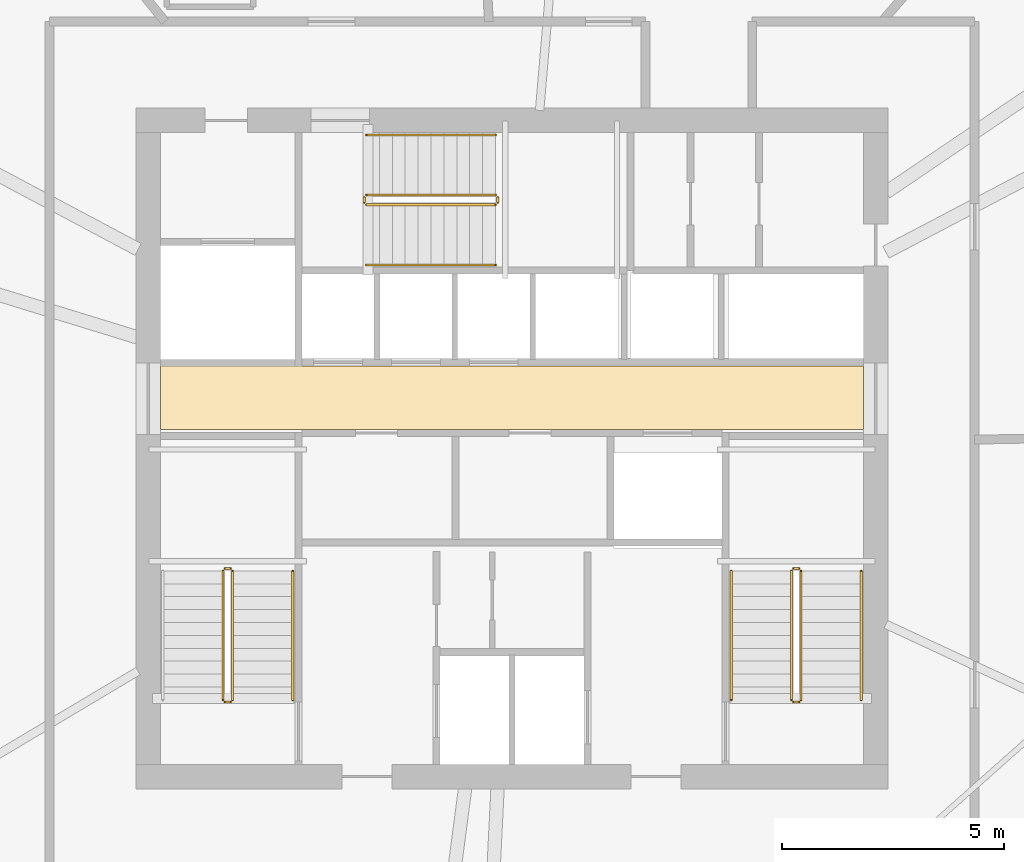
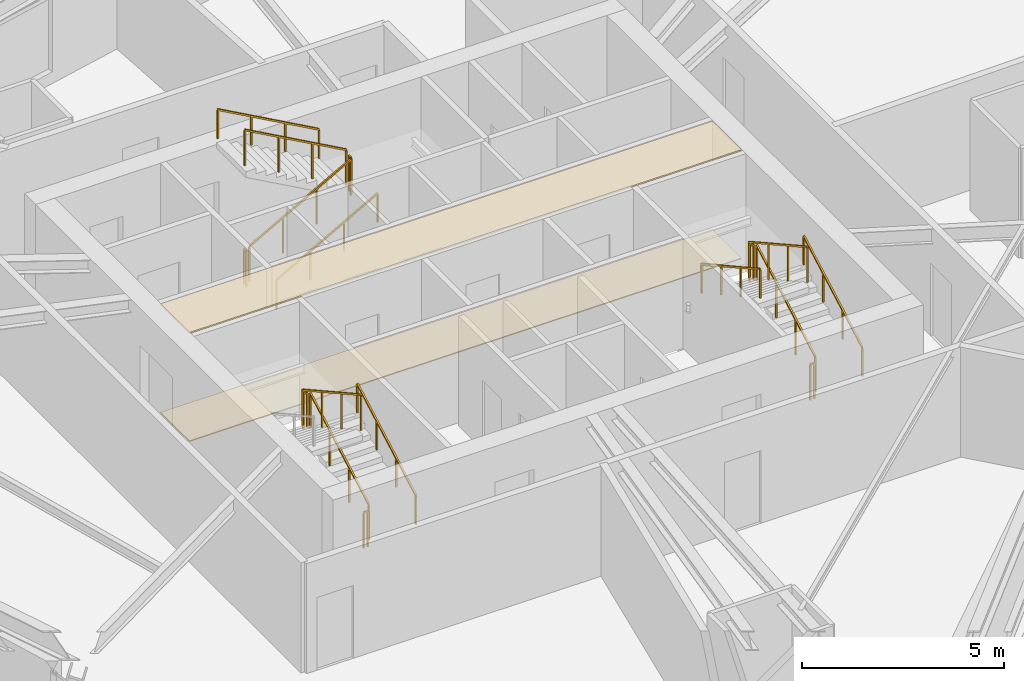
# One storey, part 14 of 15: 17 railings, 2 coverings.
"""IFC4 building model written with IfcOpenShell, lengths in metres."""

import ifcopenshell
import ifcopenshell.guid

model = None  # the IFC model being written
_history = None  # IfcOwnerHistory: only IFC2X3 demands one
_inside = {}  # id of a spatial element -> (the spatial element, [elements in it])
_under = {}  # id of a project, library or spatial element -> (it, [spatial elements below it])
_declared = {}  # id of a project -> (the project, [libraries it declares])
_typed = {}  # id of a type object -> (the type object, [elements of that type])
_made_of = {}  # id of a material, layer set ... -> (it, [elements and type objects made of it])


def new_model(schema):
    """Start an empty IFC model of exactly this schema.

    Asked for "IFC4X3", IfcOpenShell would pick the latest addendum, in which some entities
    have other attributes; the version numbers below select the first issue.
    IFC2X3 requires an IfcOwnerHistory on every rooted entity: one is made here for all.
    """
    global model, _history
    if schema == "IFC4X3":
        model = ifcopenshell.file(schema_version=(4, 3, 0, 0))
    else:
        model = ifcopenshell.file(schema=schema)
    _inside.clear()
    _under.clear()
    _declared.clear()
    _typed.clear()
    _made_of.clear()
    _history = None
    if model.schema == "IFC2X3":
        org = make("IfcOrganization", Name="unknown")
        user = make(
            "IfcPersonAndOrganization",
            ThePerson=make("IfcPerson", FamilyName="unknown"),
            TheOrganization=org,
        )
        app = make(
            "IfcApplication",
            ApplicationDeveloper=org,
            Version="unknown",
            ApplicationFullName="unknown",
            ApplicationIdentifier="unknown",
        )
        _history = make(
            "IfcOwnerHistory",
            OwningUser=user,
            OwningApplication=app,
            ChangeAction="ADDED",
            CreationDate=0,
        )
    return model


def make(cls, **values):
    """One entity of the class cls with the attributes given. An attribute that is None is left unset."""
    return model.create_entity(
        cls, **{name: value for name, value in values.items() if value is not None}
    )


def rooted(cls, **values):
    """An entity with a GlobalId (a new one), such as an element, a storey or a relation."""
    return make(cls, GlobalId=ifcopenshell.guid.new(), OwnerHistory=_history, **values)


def si_unit(unit_type, name, prefix=None):
    """IfcSIUnit, for example si_unit("LENGTHUNIT", "METRE", prefix="MILLI")."""
    return make("IfcSIUnit", UnitType=unit_type, Prefix=prefix, Name=name)


def assignment(units):
    """IfcUnitAssignment: the units of a project."""
    return None if units is None else make("IfcUnitAssignment", Units=units)


def point(xyz):
    """IfcCartesianPoint."""
    return None if xyz is None else make("IfcCartesianPoint", Coordinates=xyz)


def direction(xyz):
    """IfcDirection."""
    return None if xyz is None else make("IfcDirection", DirectionRatios=xyz)


def frame(location, z_axis=None, x_axis=None):
    """IfcAxis2Placement3D, a coordinate frame: its origin and axes. An axis left out is left unset."""
    return make(
        "IfcAxis2Placement3D",
        Location=point(location),
        Axis=direction(z_axis),
        RefDirection=direction(x_axis),
    )


def frame_2d(location, x_axis=None):
    """IfcAxis2Placement2D, a coordinate frame in the plane: its origin and x axis."""
    return make(
        "IfcAxis2Placement2D", Location=point(location), RefDirection=direction(x_axis)
    )


def origin():
    """The frame at (0, 0, 0) with its axes left unset."""
    return frame((0.0, 0.0, 0.0))


def origin_2d():
    """The frame at (0, 0) in the plane with its x axis left unset."""
    return frame_2d((0.0, 0.0))


def place(relative_to, where):
    """IfcLocalPlacement: puts the frame where relative to a parent placement (None: the world)."""
    return make(
        "IfcLocalPlacement", PlacementRelTo=relative_to, RelativePlacement=where
    )


def context(
    kind, dimensions, precision=None, world=None, true_north=None, identifier=None
):
    """IfcGeometricRepresentationContext, for example the 3D "Model" context."""
    return make(
        "IfcGeometricRepresentationContext",
        ContextIdentifier=identifier,
        ContextType=kind,
        CoordinateSpaceDimension=dimensions,
        Precision=precision,
        WorldCoordinateSystem=world,
        TrueNorth=true_north,
    )


def subcontext(parent, identifier, kind, view, scale=None):
    """IfcGeometricRepresentationSubContext, for example "Body" below "Model"."""
    return make(
        "IfcGeometricRepresentationSubContext",
        ContextIdentifier=identifier,
        ContextType=kind,
        ParentContext=parent,
        TargetScale=scale,
        TargetView=view,
    )


def project(units=None, contexts=None):
    """IfcProject with its units and contexts."""
    return rooted(
        "IfcProject",
        Name="project",
        RepresentationContexts=contexts,
        UnitsInContext=assignment(units),
    )


def spatial(cls, under=None, at=None, **own):
    """A site, building, storey or space (cls), placed at a placement, below another one or the project."""
    s = rooted(cls, ObjectPlacement=at, **own)
    if under is not None:
        _under.setdefault(under.id(), (under, []))[1].append(s)
    return s


def polyline(points):
    """IfcPolyline through the points."""
    return make("IfcPolyline", Points=[point(p) for p in points])


def profile(cls, at=None, kind="AREA", **sizes):
    """A parametric profile (cls). Its sizes go by their IFC names, for example OverallWidth=200.0."""
    return make(cls, ProfileType=kind, Position=at, **sizes)


def rectangle(**sizes):
    """IfcRectangleProfileDef."""
    return profile("IfcRectangleProfileDef", **sizes)


def outline(outer, holes=None, kind="AREA"):
    """IfcArbitraryClosedProfileDef: a profile drawn as a closed curve; with holes, ...WithVoids."""
    if holes is None:
        return make("IfcArbitraryClosedProfileDef", ProfileType=kind, OuterCurve=outer)
    return make(
        "IfcArbitraryProfileDefWithVoids",
        ProfileType=kind,
        OuterCurve=outer,
        InnerCurves=holes,
    )


def extrude(swept, where, along, depth):
    """IfcExtrudedAreaSolid: the profile swept, set in the frame where, extruded along a direction by depth."""
    return make(
        "IfcExtrudedAreaSolid",
        SweptArea=swept,
        Position=where,
        ExtrudedDirection=direction(along),
        Depth=depth,
    )


def shape(context_of_items, identifier, shape_type, items):
    """IfcShapeRepresentation: the items that make up one representation, for example the "Body"."""
    return make(
        "IfcShapeRepresentation",
        ContextOfItems=context_of_items,
        RepresentationIdentifier=identifier,
        RepresentationType=shape_type,
        Items=items,
    )


def material(Name=None, Category=None):
    """IfcMaterial."""
    return make("IfcMaterial", Name=Name, Category=Category)


def layer(
    of_material, thickness, ventilated=None, Name=None, Category=None, Priority=None
):
    """IfcMaterialLayer: one layer of a wall or slab, of a material (None: an air gap)."""
    return make(
        "IfcMaterialLayer",
        Material=of_material,
        LayerThickness=thickness,
        IsVentilated=ventilated,
        Name=Name,
        Category=Category,
        Priority=Priority,
    )


def layer_set(layers, Name=None):
    """IfcMaterialLayerSet."""
    return make("IfcMaterialLayerSet", MaterialLayers=layers, LayerSetName=Name)


def made_of(thing, what):
    """Note that an element or type object is made of a material, layer set ...; save() writes the relation."""
    if what is not None:
        _made_of.setdefault(what.id(), (what, []))[1].append(thing)
    return thing


def type_object(cls, material=None, **own):
    """A type object (cls), such as IfcWallType, which elements share."""
    return made_of(rooted(cls, **own), material)


def element(
    cls,
    number,
    at=None,
    inside=None,
    cuts=None,
    type_object=None,
    material=None,
    context=None,
    identifier="Body",
    shape_type=None,
    held_by="IfcProductDefinitionShape",
    body=None,
    shapes=None,
    **own,
):
    """One element of the class cls, such as IfcWall. Its Tag is "e" and its number.

    at: its placement. inside: the storey or other place that contains it. cuts: it is an
    opening in that element (IfcRelVoidsElement). A single representation is given by context,
    identifier, shape_type and body (its items); several are given by shapes. held_by: the class
    of the entity that holds the representations. save() writes the other relations.
    """
    e = rooted(cls, Tag="e%d" % number, ObjectPlacement=at, **own)
    if body is not None:
        shapes = [shape(context, identifier, shape_type, body)]
    if shapes is not None:
        e.Representation = make(held_by, Representations=shapes)
    if inside is not None:
        _inside.setdefault(inside.id(), (inside, []))[1].append(e)
    if cuts is not None:
        rooted(
            "IfcRelVoidsElement", RelatingBuildingElement=cuts, RelatedOpeningElement=e
        )
    if type_object is not None:
        _typed.setdefault(type_object.id(), (type_object, []))[1].append(e)
    return made_of(e, material)


def aggregate(whole, parts):
    """IfcRelAggregates: a whole, such as a stair, and the parts it consists of."""
    return rooted("IfcRelAggregates", RelatingObject=whole, RelatedObjects=parts)


def save(model, path):
    """Write the relations noted so far, then the file.

    IfcRelAggregates (storeys below a building ...), IfcRelContainedInSpatialStructure (elements
    in a storey), IfcRelDefinesByType, IfcRelAssociatesMaterial and IfcRelDeclares: one each for
    every whole, place, type object, material and project.
    """
    for whole, parts in _under.values():
        aggregate(whole, parts)
    for where, things in _inside.values():
        rooted(
            "IfcRelContainedInSpatialStructure",
            RelatedElements=things,
            RelatingStructure=where,
        )
    for kind, things in _typed.values():
        rooted("IfcRelDefinesByType", RelatedObjects=things, RelatingType=kind)
    for what, things in _made_of.values():
        rooted("IfcRelAssociatesMaterial", RelatedObjects=things, RelatingMaterial=what)
    for by, libraries in _declared.values():
        rooted("IfcRelDeclares", RelatingContext=by, RelatedDefinitions=libraries)
    model.write(path)


model = new_model("IFC4")

# Units and contexts
model_context = context("Model", 3, precision=1e-05, world=origin(), true_north=direction((0.0, 1.0)))
body_context = subcontext(model_context, "Body", "Model", "MODEL_VIEW")
ifc_project = project(units=[si_unit("LENGTHUNIT", "METRE"), si_unit("AREAUNIT", "SQUARE_METRE"), si_unit("VOLUMEUNIT", "CUBIC_METRE"), si_unit("PLANEANGLEUNIT", "RADIAN"), si_unit("MASSUNIT", "GRAM", prefix="KILO")], contexts=[model_context])

# Site, building, storey
site_placement = place(None, origin())
site = spatial("IfcSite", under=ifc_project, at=site_placement, CompositionType="ELEMENT")
building_placement = place(site_placement, origin())
building = spatial("IfcBuilding", under=site, at=building_placement, Name="Olszyna Solenne Hotel", CompositionType="ELEMENT")
storey_placement = place(building_placement, frame((0.0, 0.0, 157.25)))
storey = spatial("IfcBuildingStorey", under=building, at=storey_placement, Name="L41", CompositionType="ELEMENT", Elevation=157.25)

# Coverings
ifc_material_1 = material(Name="Mineral wool acoustic ceiling")
ifc_layer_1 = layer(ifc_material_1, 0.0400390625, Name="Mineral wool acoustic ceiling")
ifc_layer_set_1 = layer_set([ifc_layer_1], Name="Mineral wool acoustic ceiling")
covering_type_1 = type_object("IfcCoveringType", Name="CL-AC1", PredefinedType="CEILING", material=ifc_layer_set_1)
covering_1_placement = place(storey_placement, frame((0.0, 0.0, 3.27001953125)))
element("IfcCovering", 1, at=covering_1_placement, inside=storey, type_object=covering_type_1, Name="Lift lobby acoustic tile ceiling CL-L41-01", PredefinedType="CEILING", context=body_context, shape_type="SweptSolid", body=[
    extrude(outline(polyline([(30.10009765625, 27.030029296875), (45.89990234375, 27.030029296875), (45.89990234375, 28.4599609375), (30.10009765625, 28.4599609375), (30.10009765625, 27.030029296875)])), origin(), (0.0, 0.0, 1.0), 0.0400390625),
])
ifc_material_2 = material(Name="Ceramic floor tile")
ifc_layer_2 = layer(ifc_material_2, 0.030029296875, Name="Ceramic floor tile")
ifc_layer_set_2 = layer_set([ifc_layer_2], Name="Ceramic floor tile")
covering_type_2 = type_object("IfcCoveringType", Name="FL-TL1", PredefinedType="FLOORING", material=ifc_layer_set_2)
covering_2_placement = place(storey_placement, origin())
element("IfcCovering", 2, at=covering_2_placement, inside=storey, type_object=covering_type_2, Name="Lift lobby stoneware floor finish FLR-L41-01", PredefinedType="FLOORING", context=body_context, shape_type="SweptSolid", body=[
    extrude(outline(polyline([(30.10009765625, 27.030029296875), (45.89990234375, 27.030029296875), (45.89990234375, 28.4599609375), (30.10009765625, 28.4599609375), (30.10009765625, 27.030029296875)])), origin(), (0.0, 0.0, 1.0), 0.030029296875),
])

# Railings
ifc_material_3 = material(Name="Anodised bronze aluminium", Category="aluminium")
railing_type_1 = type_object("IfcRailingType", Name="GR-110", PredefinedType="BALUSTRADE", material=ifc_material_3)
railing_1_placement = place(storey_placement, frame((31.719970703125, 20.949951171875, 0.161376953125)))
element("IfcRailing", 3, at=railing_1_placement, inside=storey, type_object=railing_type_1, Name="L41 ST1 stair guard 1", PredefinedType="BALUSTRADE", context=body_context, shape_type="SweptSolid", body=[
    extrude(rectangle(XDim=0.048095703125, YDim=0.048095703125, at=origin_2d()), frame((0.0, 0.0, 1.076171875), z_axis=(0.0, 0.873858693841, 0.486179990537), x_axis=(-1.0, 0.0, 0.0)), (0.0, 0.0, 1.0), 3.31884765625),
    extrude(rectangle(XDim=0.0419921875, YDim=0.0419921875, at=origin_2d()), origin(), (0.0, 0.0, 1.0), 1.052001953125),
    extrude(rectangle(XDim=0.0419921875, YDim=0.0419921875, at=origin_2d()), frame((0.0, 0.966796875, 0.537841796875)), (0.0, 0.0, 1.0), 1.052001953125),
    extrude(rectangle(XDim=0.0419921875, YDim=0.0419921875, at=origin_2d()), frame((0.0, 1.933349609375, 1.07568359375)), (0.0, 0.0, 1.0), 1.052001953125),
    extrude(rectangle(XDim=0.0419921875, YDim=0.0419921875, at=origin_2d()), frame((0.0, 2.900146484375, 1.613525390625)), (0.0, 0.0, 1.0), 1.052001953125),
])
railing_2_placement = place(storey_placement, frame((31.669921875, 23.89990234375, 1.77490234375)))
element("IfcRailing", 4, at=railing_2_placement, inside=storey, type_object=railing_type_1, Name="L41 ST1 stair guard 2", PredefinedType="BALUSTRADE", context=body_context, shape_type="SweptSolid", body=[
    extrude(rectangle(XDim=0.048095703125, YDim=0.048095703125, at=origin_2d()), frame((0.0, 0.0, 1.076171875), z_axis=(-1.0, 0.0, 0.0), x_axis=(0.0, -1.0, 0.0)), (0.0, 0.0, 1.0), 0.119873046875),
    extrude(rectangle(XDim=0.0419921875, YDim=0.0419921875, at=origin_2d()), origin(), (0.0, 0.0, 1.0), 1.052001953125),
    extrude(rectangle(XDim=0.0419921875, YDim=0.0419921875, at=origin_2d()), frame((-0.119873046875, 0.0, 0.0)), (0.0, 0.0, 1.0), 1.052001953125),
])
railing_3_placement = place(storey_placement, frame((31.5, 23.85009765625, 1.936279296875)))
element("IfcRailing", 5, at=railing_3_placement, inside=storey, type_object=railing_type_1, Name="L41 ST1 stair guard 3", PredefinedType="BALUSTRADE", context=body_context, shape_type="SweptSolid", body=[
    extrude(rectangle(XDim=0.048095703125, YDim=0.048095703125, at=origin_2d()), frame((0.0, 0.0, 1.076171875), z_axis=(0.0, -0.873827439584, 0.48623616261), x_axis=(1.0, 0.0, 0.0)), (0.0, 0.0, 1.0), 3.31884765625),
    extrude(rectangle(XDim=0.0419921875, YDim=0.0419921875, at=origin_2d()), origin(), (0.0, 0.0, 1.0), 1.052001953125),
    extrude(rectangle(XDim=0.0419921875, YDim=0.0419921875, at=origin_2d()), frame((0.0, -0.966796875, 0.537841796875)), (0.0, 0.0, 1.0), 1.052001953125),
    extrude(rectangle(XDim=0.0419921875, YDim=0.0419921875, at=origin_2d()), frame((0.0, -1.933349609375, 1.075927734375)), (0.0, 0.0, 1.0), 1.052001953125),
    extrude(rectangle(XDim=0.0419921875, YDim=0.0419921875, at=origin_2d()), frame((0.0, -2.900146484375, 1.61376953125)), (0.0, 0.0, 1.0), 1.052001953125),
])
railing_4_placement = place(storey_placement, frame((31.669921875, 20.89990234375, 0.0)))
element("IfcRailing", 6, at=railing_4_placement, inside=storey, type_object=railing_type_1, Name="L41 ST1 stair guard 4", PredefinedType="BALUSTRADE", context=body_context, shape_type="SweptSolid", body=[
    extrude(rectangle(XDim=0.048095703125, YDim=0.048095703125, at=origin_2d()), frame((0.0, 0.0, 1.076171875), z_axis=(-1.0, 0.0, 0.0), x_axis=(0.0, -1.0, 0.0)), (0.0, 0.0, 1.0), 0.119873046875),
    extrude(rectangle(XDim=0.0419921875, YDim=0.0419921875, at=origin_2d()), origin(), (0.0, 0.0, 1.0), 1.052001953125),
    extrude(rectangle(XDim=0.0419921875, YDim=0.0419921875, at=origin_2d()), frame((-0.119873046875, 0.0, 0.0)), (0.0, 0.0, 1.0), 1.052001953125),
])
railing_5_placement = place(storey_placement, frame((44.5, 20.949951171875, 0.161376953125)))
element("IfcRailing", 7, at=railing_5_placement, inside=storey, type_object=railing_type_1, Name="L41 ST2 stair guard 1", PredefinedType="BALUSTRADE", context=body_context, shape_type="SweptSolid", body=[
    extrude(rectangle(XDim=0.048095703125, YDim=0.048095703125, at=origin_2d()), frame((0.0, 0.0, 1.076171875), z_axis=(0.0, 0.873858693841, 0.486179990537), x_axis=(-1.0, 0.0, 0.0)), (0.0, 0.0, 1.0), 3.31884765625),
    extrude(rectangle(XDim=0.0419921875, YDim=0.0419921875, at=origin_2d()), origin(), (0.0, 0.0, 1.0), 1.052001953125),
    extrude(rectangle(XDim=0.0419921875, YDim=0.0419921875, at=origin_2d()), frame((0.0, 0.966796875, 0.537841796875)), (0.0, 0.0, 1.0), 1.052001953125),
    extrude(rectangle(XDim=0.0419921875, YDim=0.0419921875, at=origin_2d()), frame((0.0, 1.933349609375, 1.07568359375)), (0.0, 0.0, 1.0), 1.052001953125),
    extrude(rectangle(XDim=0.0419921875, YDim=0.0419921875, at=origin_2d()), frame((0.0, 2.900146484375, 1.613525390625)), (0.0, 0.0, 1.0), 1.052001953125),
])
railing_6_placement = place(storey_placement, frame((44.449951171875, 23.89990234375, 1.77490234375)))
element("IfcRailing", 8, at=railing_6_placement, inside=storey, type_object=railing_type_1, Name="L41 ST2 stair guard 2", PredefinedType="BALUSTRADE", context=body_context, shape_type="SweptSolid", body=[
    extrude(rectangle(XDim=0.048095703125, YDim=0.048095703125, at=origin_2d()), frame((0.0, 0.0, 1.076171875), z_axis=(-1.0, 0.0, 0.0), x_axis=(0.0, -1.0, 0.0)), (0.0, 0.0, 1.0), 0.119873046875),
    extrude(rectangle(XDim=0.0419921875, YDim=0.0419921875, at=origin_2d()), origin(), (0.0, 0.0, 1.0), 1.052001953125),
    extrude(rectangle(XDim=0.0419921875, YDim=0.0419921875, at=origin_2d()), frame((-0.119873046875, 0.0, 0.0)), (0.0, 0.0, 1.0), 1.052001953125),
])
railing_7_placement = place(storey_placement, frame((44.280029296875, 23.85009765625, 1.936279296875)))
element("IfcRailing", 9, at=railing_7_placement, inside=storey, type_object=railing_type_1, Name="L41 ST2 stair guard 3", PredefinedType="BALUSTRADE", context=body_context, shape_type="SweptSolid", body=[
    extrude(rectangle(XDim=0.048095703125, YDim=0.048095703125, at=origin_2d()), frame((0.0, 0.0, 1.076171875), z_axis=(0.0, -0.873827439584, 0.48623616261), x_axis=(1.0, 0.0, 0.0)), (0.0, 0.0, 1.0), 3.31884765625),
    extrude(rectangle(XDim=0.0419921875, YDim=0.0419921875, at=origin_2d()), origin(), (0.0, 0.0, 1.0), 1.052001953125),
    extrude(rectangle(XDim=0.0419921875, YDim=0.0419921875, at=origin_2d()), frame((0.0, -0.966796875, 0.537841796875)), (0.0, 0.0, 1.0), 1.052001953125),
    extrude(rectangle(XDim=0.0419921875, YDim=0.0419921875, at=origin_2d()), frame((0.0, -1.933349609375, 1.075927734375)), (0.0, 0.0, 1.0), 1.052001953125),
    extrude(rectangle(XDim=0.0419921875, YDim=0.0419921875, at=origin_2d()), frame((0.0, -2.900146484375, 1.61376953125)), (0.0, 0.0, 1.0), 1.052001953125),
])
railing_8_placement = place(storey_placement, frame((44.449951171875, 20.89990234375, 0.0)))
element("IfcRailing", 10, at=railing_8_placement, inside=storey, type_object=railing_type_1, Name="L41 ST2 stair guard 4", PredefinedType="BALUSTRADE", context=body_context, shape_type="SweptSolid", body=[
    extrude(rectangle(XDim=0.048095703125, YDim=0.048095703125, at=origin_2d()), frame((0.0, 0.0, 1.076171875), z_axis=(-1.0, 0.0, 0.0), x_axis=(0.0, -1.0, 0.0)), (0.0, 0.0, 1.0), 0.119873046875),
    extrude(rectangle(XDim=0.0419921875, YDim=0.0419921875, at=origin_2d()), origin(), (0.0, 0.0, 1.0), 1.052001953125),
    extrude(rectangle(XDim=0.0419921875, YDim=0.0419921875, at=origin_2d()), frame((-0.119873046875, 0.0, 0.0)), (0.0, 0.0, 1.0), 1.052001953125),
])
railing_9_placement = place(storey_placement, frame((34.72998046875, 32.080078125, 0.161376953125)))
element("IfcRailing", 11, at=railing_9_placement, inside=storey, type_object=railing_type_1, Name="L41 ST3 stair guard 1", PredefinedType="BALUSTRADE", context=body_context, shape_type="SweptSolid", body=[
    extrude(rectangle(XDim=0.048095703125, YDim=0.048095703125, at=origin_2d()), frame((0.0, 0.0, 1.076171875), z_axis=(0.873841303929, 0.0, 0.486211245805), x_axis=(0.0, 1.0, 0.0)), (0.0, 0.0, 1.0), 3.318603515625),
    extrude(rectangle(XDim=0.0419921875, YDim=0.0419921875, at=origin_2d()), origin(), (0.0, 0.0, 1.0), 1.052001953125),
    extrude(rectangle(XDim=0.0419921875, YDim=0.0419921875, at=origin_2d()), frame((0.966552734375, 0.0, 0.537841796875)), (0.0, 0.0, 1.0), 1.052001953125),
    extrude(rectangle(XDim=0.0419921875, YDim=0.0419921875, at=origin_2d()), frame((1.933349609375, 0.0, 1.07568359375)), (0.0, 0.0, 1.0), 1.052001953125),
    extrude(rectangle(XDim=0.0419921875, YDim=0.0419921875, at=origin_2d()), frame((2.89990234375, 0.0, 1.613525390625)), (0.0, 0.0, 1.0), 1.052001953125),
])
railing_10_placement = place(storey_placement, frame((37.679931640625, 32.1298828125, 1.77490234375)))
element("IfcRailing", 12, at=railing_10_placement, inside=storey, type_object=railing_type_1, Name="L41 ST3 stair guard 2", PredefinedType="BALUSTRADE", context=body_context, shape_type="SweptSolid", body=[
    extrude(rectangle(XDim=0.048095703125, YDim=0.048095703125, at=origin_2d()), frame((0.0, 0.0, 1.076171875), z_axis=(0.0, 1.0, 0.0), x_axis=(-1.0, 0.0, 0.0)), (0.0, 0.0, 1.0), 0.1201171875),
    extrude(rectangle(XDim=0.0419921875, YDim=0.0419921875, at=origin_2d()), origin(), (0.0, 0.0, 1.0), 1.052001953125),
    extrude(rectangle(XDim=0.0419921875, YDim=0.0419921875, at=origin_2d()), frame((0.0, 0.1201171875, 0.0)), (0.0, 0.0, 1.0), 1.052001953125),
])
railing_11_placement = place(storey_placement, frame((37.6298828125, 32.300048828125, 1.936279296875)))
element("IfcRailing", 13, at=railing_11_placement, inside=storey, type_object=railing_type_1, Name="L41 ST3 stair guard 3", PredefinedType="BALUSTRADE", context=body_context, shape_type="SweptSolid", body=[
    extrude(rectangle(XDim=0.048095703125, YDim=0.048095703125, at=origin_2d()), frame((0.0, 0.0, 1.076171875), z_axis=(-0.873810046276, 0.0, 0.486267419253), x_axis=(0.0, -1.0, 0.0)), (0.0, 0.0, 1.0), 3.318603515625),
    extrude(rectangle(XDim=0.0419921875, YDim=0.0419921875, at=origin_2d()), origin(), (0.0, 0.0, 1.0), 1.052001953125),
    extrude(rectangle(XDim=0.0419921875, YDim=0.0419921875, at=origin_2d()), frame((-0.966552734375, 0.0, 0.537841796875)), (0.0, 0.0, 1.0), 1.052001953125),
    extrude(rectangle(XDim=0.0419921875, YDim=0.0419921875, at=origin_2d()), frame((-1.933349609375, 0.0, 1.075927734375)), (0.0, 0.0, 1.0), 1.052001953125),
    extrude(rectangle(XDim=0.0419921875, YDim=0.0419921875, at=origin_2d()), frame((-2.89990234375, 0.0, 1.61376953125)), (0.0, 0.0, 1.0), 1.052001953125),
])
railing_12_placement = place(storey_placement, frame((34.679931640625, 32.1298828125, 0.0)))
element("IfcRailing", 14, at=railing_12_placement, inside=storey, type_object=railing_type_1, Name="L41 ST3 stair guard 4", PredefinedType="BALUSTRADE", context=body_context, shape_type="SweptSolid", body=[
    extrude(rectangle(XDim=0.048095703125, YDim=0.048095703125, at=origin_2d()), frame((0.0, 0.0, 1.076171875), z_axis=(0.0, 1.0, 0.0), x_axis=(-1.0, 0.0, 0.0)), (0.0, 0.0, 1.0), 0.1201171875),
    extrude(rectangle(XDim=0.0419921875, YDim=0.0419921875, at=origin_2d()), origin(), (0.0, 0.0, 1.0), 1.052001953125),
    extrude(rectangle(XDim=0.0419921875, YDim=0.0419921875, at=origin_2d()), frame((0.0, 0.1201171875, 0.0)), (0.0, 0.0, 1.0), 1.052001953125),
])
ifc_material_4 = material(Name="Steel S355J2", Category="steel")
railing_type_2 = type_object("IfcRailingType", Name="HR-090", PredefinedType="HANDRAIL", material=ifc_material_4)
for number, where, name in (
    (15, (33.070068359375, 20.949951171875, 0.161376953125), "L41 ST1 stair handrail 1"),
    (16, (45.85009765625, 20.949951171875, 0.161376953125), "L41 ST2 stair handrail 1"),
):
    element("IfcRailing", number, at=place(storey_placement, frame(where)), inside=storey, type_object=railing_type_2, Name=name, PredefinedType="HANDRAIL", context=body_context, shape_type="SweptSolid", body=[
        extrude(rectangle(XDim=0.048095703125, YDim=0.048095703125, at=origin_2d()), frame((0.0, 0.0, 0.8759765625), z_axis=(0.0, 0.873858693841, 0.486179990537), x_axis=(-1.0, 0.0, 0.0)), (0.0, 0.0, 1.0), 3.31884765625),
        extrude(rectangle(XDim=0.0419921875, YDim=0.0419921875, at=origin_2d()), origin(), (0.0, 0.0, 1.0), 0.851806640625),
        extrude(rectangle(XDim=0.0419921875, YDim=0.0419921875, at=origin_2d()), frame((0.0, 0.966796875, 0.537841796875)), (0.0, 0.0, 1.0), 0.851806640625),
        extrude(rectangle(XDim=0.0419921875, YDim=0.0419921875, at=origin_2d()), frame((0.0, 1.933349609375, 1.07568359375)), (0.0, 0.0, 1.0), 0.851806640625),
        extrude(rectangle(XDim=0.0419921875, YDim=0.0419921875, at=origin_2d()), frame((0.0, 2.900146484375, 1.613525390625)), (0.0, 0.0, 1.0), 0.851806640625),
    ])
railing_13_placement = place(storey_placement, frame((42.929931640625, 23.85009765625, 1.936279296875)))
element("IfcRailing", 17, at=railing_13_placement, inside=storey, type_object=railing_type_2, Name="L41 ST2 stair handrail 2", PredefinedType="HANDRAIL", context=body_context, shape_type="SweptSolid", body=[
    extrude(rectangle(XDim=0.048095703125, YDim=0.048095703125, at=origin_2d()), frame((0.0, 0.0, 0.8759765625), z_axis=(0.0, -0.873827439584, 0.48623616261), x_axis=(1.0, 0.0, 0.0)), (0.0, 0.0, 1.0), 3.31884765625),
    extrude(rectangle(XDim=0.0419921875, YDim=0.0419921875, at=origin_2d()), origin(), (0.0, 0.0, 1.0), 0.851806640625),
    extrude(rectangle(XDim=0.0419921875, YDim=0.0419921875, at=origin_2d()), frame((0.0, -0.966796875, 0.537841796875)), (0.0, 0.0, 1.0), 0.851806640625),
    extrude(rectangle(XDim=0.0419921875, YDim=0.0419921875, at=origin_2d()), frame((0.0, -1.933349609375, 1.075927734375)), (0.0, 0.0, 1.0), 0.851806640625),
    extrude(rectangle(XDim=0.0419921875, YDim=0.0419921875, at=origin_2d()), frame((0.0, -2.900146484375, 1.61376953125)), (0.0, 0.0, 1.0), 0.851806640625),
])
railing_14_placement = place(storey_placement, frame((34.72998046875, 30.72998046875, 0.161376953125)))
element("IfcRailing", 18, at=railing_14_placement, inside=storey, type_object=railing_type_2, Name="L41 ST3 stair handrail 1", PredefinedType="HANDRAIL", context=body_context, shape_type="SweptSolid", body=[
    extrude(rectangle(XDim=0.048095703125, YDim=0.048095703125, at=origin_2d()), frame((0.0, 0.0, 0.8759765625), z_axis=(0.873841303929, 0.0, 0.486211245805), x_axis=(0.0, 1.0, 0.0)), (0.0, 0.0, 1.0), 3.318603515625),
    extrude(rectangle(XDim=0.0419921875, YDim=0.0419921875, at=origin_2d()), origin(), (0.0, 0.0, 1.0), 0.851806640625),
    extrude(rectangle(XDim=0.0419921875, YDim=0.0419921875, at=origin_2d()), frame((0.966552734375, 0.0, 0.537841796875)), (0.0, 0.0, 1.0), 0.851806640625),
    extrude(rectangle(XDim=0.0419921875, YDim=0.0419921875, at=origin_2d()), frame((1.933349609375, 0.0, 1.07568359375)), (0.0, 0.0, 1.0), 0.851806640625),
    extrude(rectangle(XDim=0.0419921875, YDim=0.0419921875, at=origin_2d()), frame((2.89990234375, 0.0, 1.613525390625)), (0.0, 0.0, 1.0), 0.851806640625),
])
railing_15_placement = place(storey_placement, frame((37.6298828125, 33.64990234375, 1.936279296875)))
element("IfcRailing", 19, at=railing_15_placement, inside=storey, type_object=railing_type_2, Name="L41 ST3 stair handrail 2", PredefinedType="HANDRAIL", context=body_context, shape_type="SweptSolid", body=[
    extrude(rectangle(XDim=0.048095703125, YDim=0.048095703125, at=origin_2d()), frame((0.0, 0.0, 0.8759765625), z_axis=(-0.873810046276, 0.0, 0.486267419253), x_axis=(0.0, -1.0, 0.0)), (0.0, 0.0, 1.0), 3.318603515625),
    extrude(rectangle(XDim=0.0419921875, YDim=0.0419921875, at=origin_2d()), origin(), (0.0, 0.0, 1.0), 0.851806640625),
    extrude(rectangle(XDim=0.0419921875, YDim=0.0419921875, at=origin_2d()), frame((-0.966552734375, 0.0, 0.537841796875)), (0.0, 0.0, 1.0), 0.851806640625),
    extrude(rectangle(XDim=0.0419921875, YDim=0.0419921875, at=origin_2d()), frame((-1.933349609375, 0.0, 1.075927734375)), (0.0, 0.0, 1.0), 0.851806640625),
    extrude(rectangle(XDim=0.0419921875, YDim=0.0419921875, at=origin_2d()), frame((-2.89990234375, 0.0, 1.61376953125)), (0.0, 0.0, 1.0), 0.851806640625),
])

save(model, "model.ifc")
